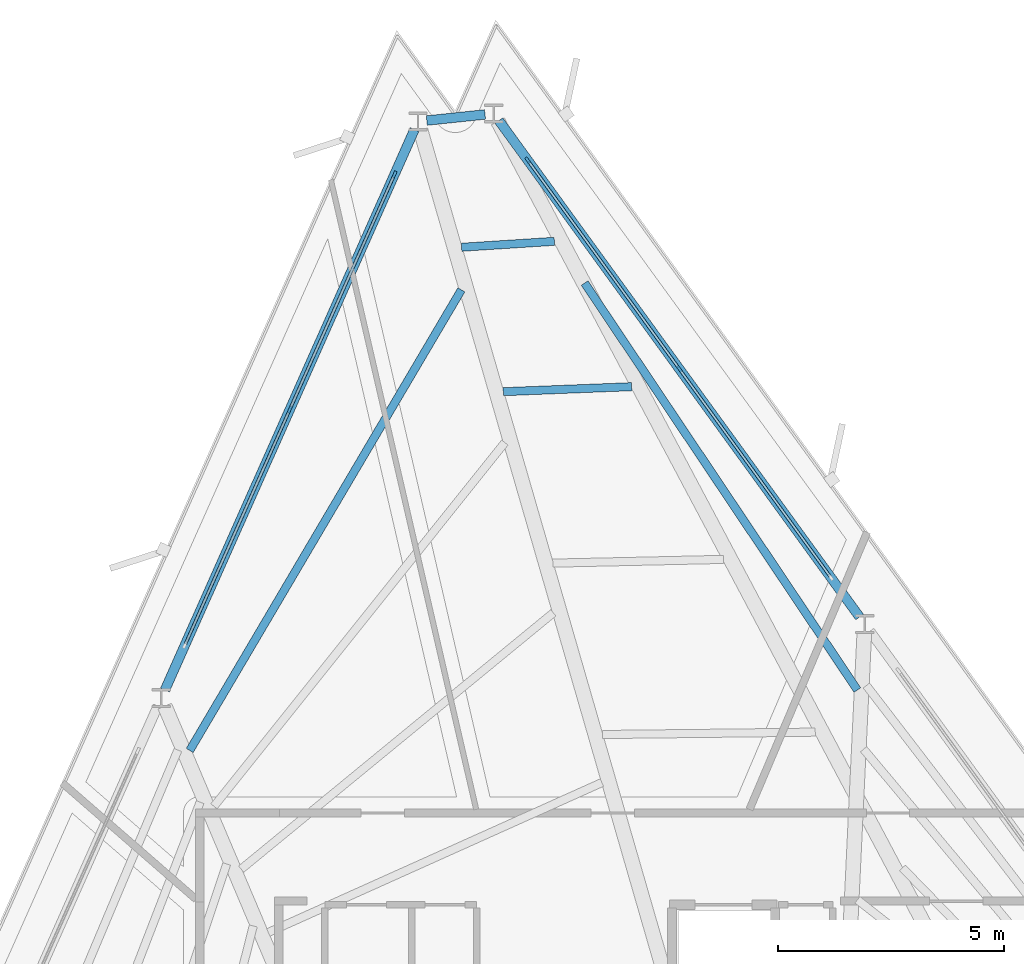
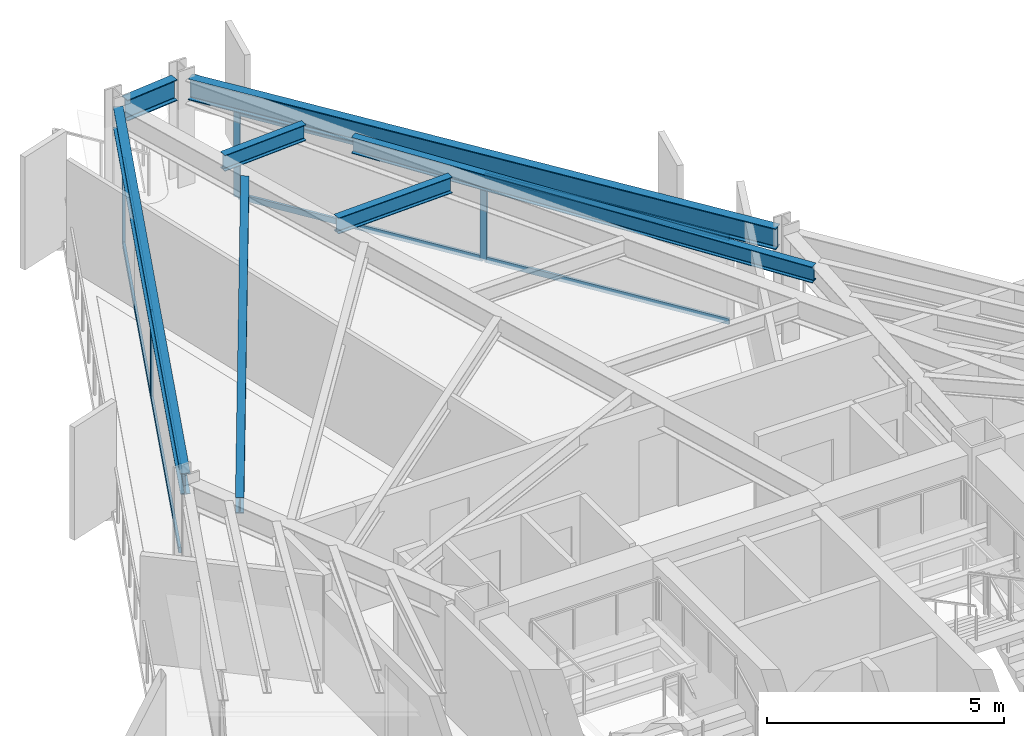
# One storey, part 6 of 12: 12 members, 7 beams, 2 elements without a shape of their own.
"""IFC4 building model written with IfcOpenShell, lengths in metres."""

from ifc_helpers import new_model, si_unit, direction, frame, origin, origin_2d, place, context, subcontext, project, spatial, rectangle, i_section, extrude, material, layer, layer_set, material_profile, profile_set, type_object, element, aggregate, save


model = new_model("IFC4")

# Units and contexts
model_context = context("Model", 3, precision=1e-05, world=origin(), true_north=direction((0.0, 1.0)))
body_context = subcontext(model_context, "Body", "Model", "MODEL_VIEW")
ifc_project = project(units=[si_unit("LENGTHUNIT", "METRE"), si_unit("AREAUNIT", "SQUARE_METRE"), si_unit("VOLUMEUNIT", "CUBIC_METRE"), si_unit("PLANEANGLEUNIT", "RADIAN"), si_unit("MASSUNIT", "GRAM", prefix="KILO")], contexts=[model_context])

# Site, building, storey
site_placement = place(None, origin())
site = spatial("IfcSite", under=ifc_project, at=site_placement, CompositionType="ELEMENT")
building_placement = place(site_placement, origin())
building = spatial("IfcBuilding", under=site, at=building_placement, Name="Rocaltana Carrier Exchange", CompositionType="ELEMENT")
storey_placement = place(building_placement, frame((0.0, 0.0, 116.800048828125)))
storey = spatial("IfcBuildingStorey", under=building, at=storey_placement, Name="L36", CompositionType="ELEMENT", Elevation=116.800048828125)

# Curtain wall, members
ifc_material_1 = material(Name="Aluminium 6063-T6", Category="aluminium")
ifc_layer = layer(ifc_material_1, 0.14990234375)
ifc_layer_set = layer_set([ifc_layer], Name="Aluminium 6063-T6")
curtain_wall_type = type_object("IfcCurtainWallType", Name="Mid-Tower Unitised Curtain Wall CW-03", PredefinedType="NOTDEFINED", material=ifc_layer_set)
curtain_wall_1_placement = place(storey_placement, origin())
curtain_wall_1 = element("IfcCurtainWall", 1, at=curtain_wall_1_placement, inside=storey, type_object=curtain_wall_type, Name="L36 CW-03 Run CW-L36-F1S3", PredefinedType="NOTDEFINED")
ifc_material_2 = material(Name="Aluminium 6063-T6", Category="aluminium")
ifc_material_profile_1 = material_profile(ifc_material_2, rectangle(XDim=0.06005859375, YDim=0.14990234375, at=origin_2d()), Name="AL-60X150")
ifc_profile_set_1 = profile_set([ifc_material_profile_1], Name="Aluminium 6063-T6")
member_type_1 = type_object("IfcMemberType", Name="CW-03 Mullion AL-60X150", PredefinedType="MULLION", material=ifc_profile_set_1)
member_1_placement = place(storey_placement, frame((2.363037109375, 18.980712890625, 0.0), z_axis=(0.0, 0.0, 1.0), x_axis=(-0.809013555195, -0.587789985889, 0.0)))
member_1 = element("IfcMember", 2, at=member_1_placement, type_object=member_type_1, Name="CW-03 mullion 2", PredefinedType="MULLION", context=body_context, shape_type="SweptSolid", body=[
    extrude(rectangle(XDim=0.06005859375, YDim=0.14990234375, at=origin_2d()), origin(), (0.0, 0.0, 1.0), 2.218017578125),
])
member_2_placement = place(storey_placement, frame((-0.9892578125, 23.5947265625, 0.0), z_axis=(0.0, 0.0, 1.0), x_axis=(-0.809013555195, -0.587789985889, 0.0)))
member_2 = element("IfcMember", 3, at=member_2_placement, type_object=member_type_1, Name="CW-03 mullion 3", PredefinedType="MULLION", context=body_context, shape_type="SweptSolid", body=[
    extrude(rectangle(XDim=0.06005859375, YDim=0.14990234375, at=origin_2d()), origin(), (0.0, 0.0, 1.0), 2.218017578125),
])

curtain_wall_2_placement = place(storey_placement, origin())
curtain_wall_2 = element("IfcCurtainWall", 4, at=curtain_wall_2_placement, inside=storey, type_object=curtain_wall_type, Name="L36 CW-03 Run CW-L36-F2S1", PredefinedType="NOTDEFINED")
member_3_placement = place(storey_placement, frame((-3.93798828125, 23.284912109375, 0.0), z_axis=(0.0, 0.0, 1.0), x_axis=(0.913543791084, -0.406740386206, 0.0)))
member_3 = element("IfcMember", 5, at=member_3_placement, type_object=member_type_1, Name="CW-03 mullion 1", PredefinedType="MULLION", context=body_context, shape_type="SweptSolid", body=[
    extrude(rectangle(XDim=0.06005859375, YDim=0.14990234375, at=origin_2d()), origin(), (0.0, 0.0, 1.0), 2.218017578125),
])
member_4_placement = place(storey_placement, frame((-6.2578125, 18.074462890625, 0.0), z_axis=(0.0, 0.0, 1.0), x_axis=(0.913543791084, -0.406740386206, 0.0)))
member_4 = element("IfcMember", 6, at=member_4_placement, type_object=member_type_1, Name="CW-03 mullion 2", PredefinedType="MULLION", context=body_context, shape_type="SweptSolid", body=[
    extrude(rectangle(XDim=0.06005859375, YDim=0.14990234375, at=origin_2d()), origin(), (0.0, 0.0, 1.0), 2.218017578125),
])

# Member
ifc_material_3 = material(Name="Aluminium 6063-T6", Category="aluminium")
ifc_material_profile_2 = material_profile(ifc_material_3, rectangle(XDim=0.06005859375, YDim=0.14990234375, at=origin_2d()), Name="AL-60X150")
ifc_profile_set_2 = profile_set([ifc_material_profile_2], Name="Aluminium 6063-T6")
member_type_2 = type_object("IfcMemberType", Name="CW-03 Transom AL-60X150", PredefinedType="USERDEFINED", material=ifc_profile_set_2)
member_5_placement = place(storey_placement, frame((5.69775390625, 14.390869140625, 0.030029296875), z_axis=(-0.587803791035, 0.809003524866, 0.0), x_axis=(-0.809003524866, -0.587803791035, 0.0)))
member_5 = element("IfcMember", 7, at=member_5_placement, type_object=member_type_2, Name="CW-03 transom 1.1", ObjectType="TRANSOM", PredefinedType="USERDEFINED", context=body_context, shape_type="SweptSolid", body=[
    extrude(rectangle(XDim=0.06005859375, YDim=0.14990234375, at=origin_2d()), origin(), (0.0, 0.0, 1.0), 5.643310546875),
])

member_6_placement = place(storey_placement, frame((5.69775390625, 14.390869140625, 2.18798828125), z_axis=(-0.587803791035, 0.809003524866, 0.0), x_axis=(-0.809003524866, -0.587803791035, 0.0)))
member_6 = element("IfcMember", 8, at=member_6_placement, type_object=member_type_2, Name="CW-03 transom 1.2", ObjectType="TRANSOM", PredefinedType="USERDEFINED", context=body_context, shape_type="SweptSolid", body=[
    extrude(rectangle(XDim=0.06005859375, YDim=0.14990234375, at=origin_2d()), origin(), (0.0, 0.0, 1.0), 5.643310546875),
])

member_7_placement = place(storey_placement, frame((2.345458984375, 19.0048828125, 0.030029296875), z_axis=(-0.58778321885, 0.809018471753, 0.0), x_axis=(-0.809018471753, -0.58778321885, 0.0)))
member_7 = element("IfcMember", 9, at=member_7_placement, type_object=member_type_2, Name="CW-03 transom 2.1", ObjectType="TRANSOM", PredefinedType="USERDEFINED", context=body_context, shape_type="SweptSolid", body=[
    extrude(rectangle(XDim=0.06005859375, YDim=0.14990234375, at=origin_2d()), origin(), (0.0, 0.0, 1.0), 5.6435546875),
])

member_8_placement = place(storey_placement, frame((2.345458984375, 19.0048828125, 2.18798828125), z_axis=(-0.58778321885, 0.809018471753, 0.0), x_axis=(-0.809018471753, -0.58778321885, 0.0)))
member_8 = element("IfcMember", 10, at=member_8_placement, type_object=member_type_2, Name="CW-03 transom 2.2", ObjectType="TRANSOM", PredefinedType="USERDEFINED", context=body_context, shape_type="SweptSolid", body=[
    extrude(rectangle(XDim=0.06005859375, YDim=0.14990234375, at=origin_2d()), origin(), (0.0, 0.0, 1.0), 5.6435546875),
])

aggregate(curtain_wall_1, [member_1, member_2, member_5, member_6, member_7, member_8])

member_9_placement = place(storey_placement, frame((-3.9501953125, 23.25732421875, 0.030029296875), z_axis=(-0.406740464784, -0.913543756099, 0.0), x_axis=(0.913543756099, -0.406740464784, 0.0)))
member_9 = element("IfcMember", 11, at=member_9_placement, type_object=member_type_2, Name="CW-03 transom 1.1", ObjectType="TRANSOM", PredefinedType="USERDEFINED", context=body_context, shape_type="SweptSolid", body=[
    extrude(rectangle(XDim=0.06005859375, YDim=0.14990234375, at=origin_2d()), origin(), (0.0, 0.0, 1.0), 5.643310546875),
])

member_10_placement = place(storey_placement, frame((-3.9501953125, 23.25732421875, 2.18798828125), z_axis=(-0.406740464784, -0.913543756099, 0.0), x_axis=(0.913543756099, -0.406740464784, 0.0)))
member_10 = element("IfcMember", 12, at=member_10_placement, type_object=member_type_2, Name="CW-03 transom 1.2", ObjectType="TRANSOM", PredefinedType="USERDEFINED", context=body_context, shape_type="SweptSolid", body=[
    extrude(rectangle(XDim=0.06005859375, YDim=0.14990234375, at=origin_2d()), origin(), (0.0, 0.0, 1.0), 5.643310546875),
])

member_11_placement = place(storey_placement, frame((-6.27001953125, 18.047119140625, 0.030029296875), z_axis=(-0.406704359788, -0.913559830405, 0.0), x_axis=(0.913559830405, -0.406704359788, 0.0)))
member_11 = element("IfcMember", 13, at=member_11_placement, type_object=member_type_2, Name="CW-03 transom 2.1", ObjectType="TRANSOM", PredefinedType="USERDEFINED", context=body_context, shape_type="SweptSolid", body=[
    extrude(rectangle(XDim=0.06005859375, YDim=0.14990234375, at=origin_2d()), origin(), (0.0, 0.0, 1.0), 5.643310546875),
])

member_12_placement = place(storey_placement, frame((-6.27001953125, 18.047119140625, 2.18798828125), z_axis=(-0.406704359788, -0.913559830405, 0.0), x_axis=(0.913559830405, -0.406704359788, 0.0)))
member_12 = element("IfcMember", 14, at=member_12_placement, type_object=member_type_2, Name="CW-03 transom 2.2", ObjectType="TRANSOM", PredefinedType="USERDEFINED", context=body_context, shape_type="SweptSolid", body=[
    extrude(rectangle(XDim=0.06005859375, YDim=0.14990234375, at=origin_2d()), origin(), (0.0, 0.0, 1.0), 5.643310546875),
])

aggregate(curtain_wall_2, [member_3, member_4, member_9, member_10, member_11, member_12])

# Beams
ifc_material_4 = material(Name="Steel S355", Category="steel")
ifc_material_profile_3 = material_profile(ifc_material_4, i_section(OverallWidth=0.179931640625, OverallDepth=0.4130859375, WebThickness=0.009765625, FlangeThickness=0.01611328125, FilletRadius=0.012939453125, at=origin_2d()), Name="W16X50")
ifc_profile_set_3 = profile_set([ifc_material_profile_3], Name="Steel S355")
beam_type_1 = type_object("IfcBeamType", Name="Floor Joist W16X50", PredefinedType="JOIST", material=ifc_profile_set_3)
beam_1_placement = place(storey_placement, frame((6.3056640625, 11.87109375, 2.58154296875), z_axis=(-0.556730424086, 0.830693225503, 0.0), x_axis=(-0.830693225503, -0.556730424086, 0.0)))
element("IfcBeam", 15, at=beam_1_placement, inside=storey, type_object=beam_type_1, Name="FJ-L36-03-4", PredefinedType="JOIST", context=body_context, shape_type="SweptSolid", body=[
    extrude(i_section(OverallWidth=0.179931640625, OverallDepth=0.4130859375, WebThickness=0.009765625, FlangeThickness=0.01611328125, FilletRadius=0.012939453125, at=origin_2d()), origin(), (0.0, 0.0, 1.0), 10.841552734375),
])
beam_2_placement = place(storey_placement, frame((1.31005859375, 18.585205078125, 2.58154296875), z_axis=(-0.999236623871, -0.039066219613, 0.0), x_axis=(0.039066219613, -0.999236623871, 0.0)))
element("IfcBeam", 16, at=beam_2_placement, inside=storey, type_object=beam_type_1, Name="FJ-L36-04-3", PredefinedType="JOIST", context=body_context, shape_type="SweptSolid", body=[
    extrude(i_section(OverallWidth=0.179931640625, OverallDepth=0.4130859375, WebThickness=0.009765625, FlangeThickness=0.01611328125, FilletRadius=0.012939453125, at=origin_2d()), origin(), (0.0, 0.0, 1.0), 2.843505859375),
])
beam_3_placement = place(storey_placement, frame((-0.400390625, 21.802001953125, 2.58154296875), z_axis=(-0.99795348831, -0.063944000261, 0.0), x_axis=(0.063944000261, -0.99795348831, 0.0)))
element("IfcBeam", 17, at=beam_3_placement, inside=storey, type_object=beam_type_1, Name="FJ-L36-04-4", PredefinedType="JOIST", context=body_context, shape_type="SweptSolid", body=[
    extrude(i_section(OverallWidth=0.179931640625, OverallDepth=0.4130859375, WebThickness=0.009765625, FlangeThickness=0.01611328125, FilletRadius=0.012939453125, at=origin_2d()), origin(), (0.0, 0.0, 1.0), 2.057861328125),
])
beam_4_placement = place(storey_placement, frame((-2.45849609375, 20.72802734375, 2.58154296875), z_axis=(-0.507982665152, -0.861367292103, 0.0), x_axis=(0.861367292103, -0.507982665152, 0.0)))
element("IfcBeam", 18, at=beam_4_placement, inside=storey, type_object=beam_type_1, Name="FJ-L36-05-4", PredefinedType="JOIST", context=body_context, shape_type="SweptSolid", body=[
    extrude(i_section(OverallWidth=0.179931640625, OverallDepth=0.4130859375, WebThickness=0.009765625, FlangeThickness=0.01611328125, FilletRadius=0.012939453125, at=origin_2d()), origin(), (0.0, 0.0, 1.0), 11.83447265625),
])
ifc_material_5 = material(Name="Steel S355", Category="steel")
ifc_material_profile_4 = material_profile(ifc_material_5, i_section(OverallWidth=0.2119140625, OverallDepth=0.5439453125, WebThickness=0.01318359375, FlangeThickness=0.021240234375, FilletRadius=0.014892578125, at=origin_2d()), Name="W21X83")
ifc_profile_set_4 = profile_set([ifc_material_profile_4], Name="Steel S355")
beam_type_2 = type_object("IfcBeamType", Name="Spandrel Edge Beam W21X83", PredefinedType="SPANDREL", material=ifc_profile_set_4)
beam_5_placement = place(storey_placement, frame((6.353271484375, 13.48876953125, 2.515869140625), z_axis=(-0.587792057578, 0.809012050002, 0.0), x_axis=(-0.809012050002, -0.587792057578, 0.0)))
element("IfcBeam", 19, at=beam_5_placement, inside=storey, type_object=beam_type_2, Name="SP-L36-03", PredefinedType="SPANDREL", context=body_context, shape_type="SweptSolid", body=[
    extrude(i_section(OverallWidth=0.2119140625, OverallDepth=0.5439453125, WebThickness=0.01318359375, FlangeThickness=0.021240234375, FilletRadius=0.014892578125, at=origin_2d()), origin(), (0.0, 0.0, 1.0), 13.57666015625),
])
beam_6_placement = place(storey_placement, frame((-1.935546875, 24.60986328125, 2.515869140625), z_axis=(-0.994530218874, -0.104449240049, 0.0), x_axis=(0.104449240049, -0.994530218874, 0.0)))
element("IfcBeam", 20, at=beam_6_placement, inside=storey, type_object=beam_type_2, Name="SP-L36-04", PredefinedType="SPANDREL", context=body_context, shape_type="SweptSolid", body=[
    extrude(i_section(OverallWidth=0.2119140625, OverallDepth=0.5439453125, WebThickness=0.01318359375, FlangeThickness=0.021240234375, FilletRadius=0.014892578125, at=origin_2d()), origin(), (0.0, 0.0, 1.0), 1.294921875),
])
beam_7_placement = place(storey_placement, frame((-3.49658203125, 24.27587890625, 2.515869140625), z_axis=(-0.406744031685, -0.913542167986, 0.0), x_axis=(0.913542167986, -0.406744031685, 0.0)))
element("IfcBeam", 21, at=beam_7_placement, inside=storey, type_object=beam_type_2, Name="SP-L36-05", PredefinedType="SPANDREL", context=body_context, shape_type="SweptSolid", body=[
    extrude(i_section(OverallWidth=0.2119140625, OverallDepth=0.5439453125, WebThickness=0.01318359375, FlangeThickness=0.021240234375, FilletRadius=0.014892578125, at=origin_2d()), origin(), (0.0, 0.0, 1.0), 13.57666015625),
])

save(model, "model.ifc")
